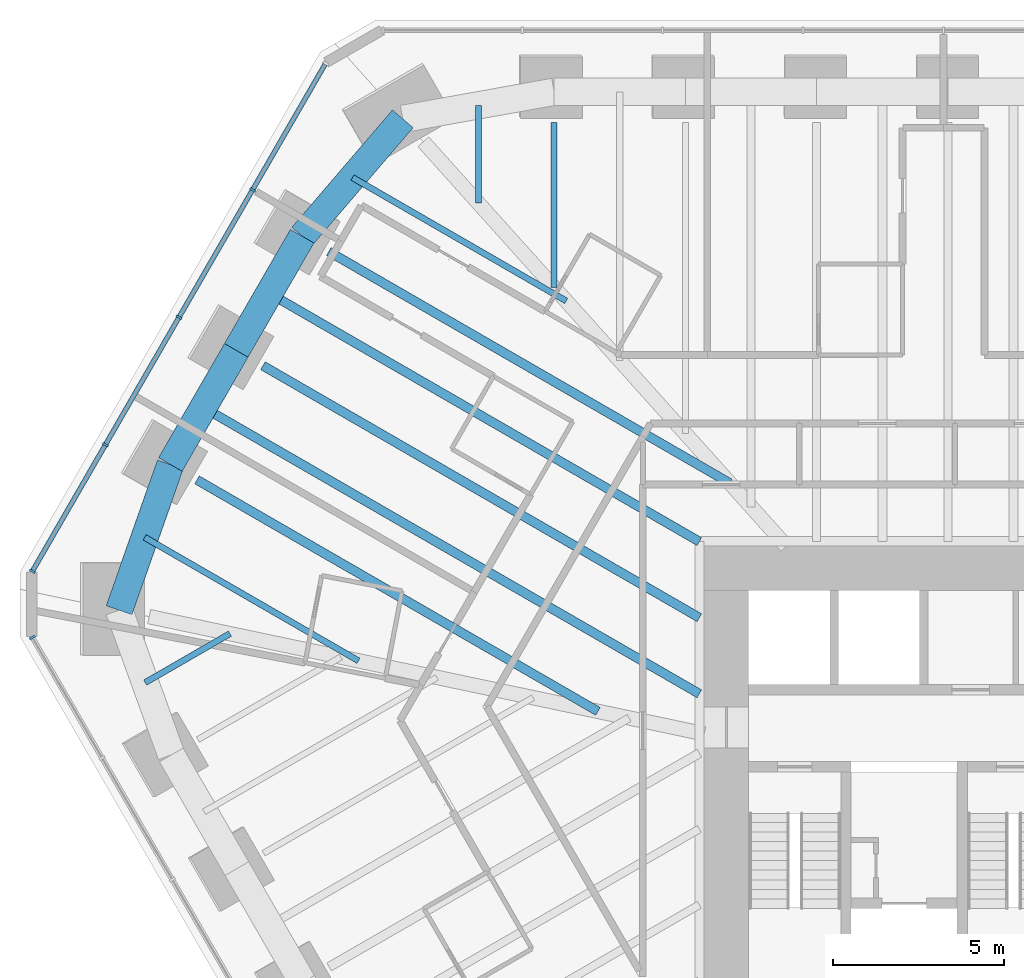
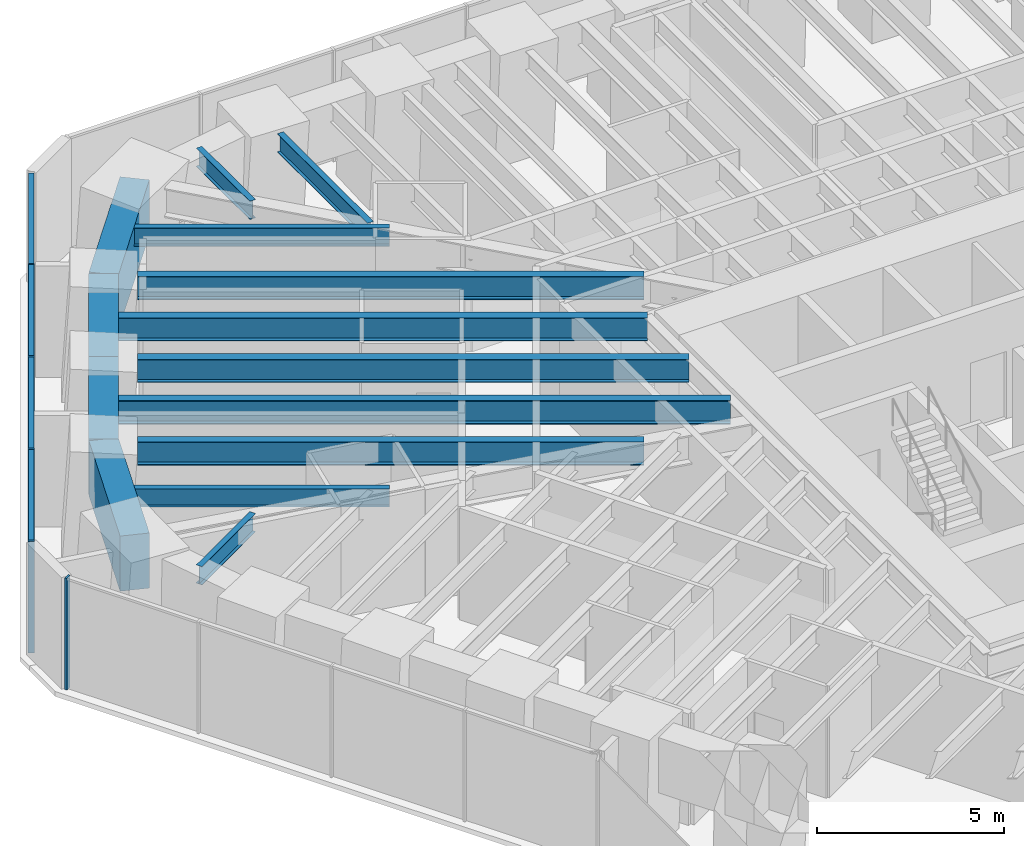
# One storey, part 7 of 18: 14 beams, 9 members, 2 elements without a shape of their own.
"""IFC4 building model written with IfcOpenShell, lengths in metres."""

from ifc_helpers import new_model, si_unit, direction, frame, origin, origin_2d, place, context, subcontext, project, spatial, rectangle, i_section, extrude, material, material_profile, profile_set, type_object, element, aggregate, save


model = new_model("IFC4")

# Units and contexts
model_context = context("Model", 3, precision=1e-05, world=origin(), true_north=direction((0.0, 1.0)))
body_context = subcontext(model_context, "Body", "Model", "MODEL_VIEW")
ifc_project = project(units=[si_unit("LENGTHUNIT", "METRE"), si_unit("AREAUNIT", "SQUARE_METRE"), si_unit("VOLUMEUNIT", "CUBIC_METRE"), si_unit("PLANEANGLEUNIT", "RADIAN"), si_unit("MASSUNIT", "GRAM", prefix="KILO")], contexts=[model_context])

# Site, building, storey
site_placement = place(None, origin())
site = spatial("IfcSite", under=ifc_project, at=site_placement, CompositionType="ELEMENT")
building_placement = place(site_placement, origin())
building = spatial("IfcBuilding", under=site, at=building_placement, Name="Sandreach Pilgrim Tower", CompositionType="ELEMENT")
storey_placement = place(building_placement, frame((0.0, 0.0, 157.60009765625)))
storey = spatial("IfcBuildingStorey", under=building, at=storey_placement, Name="L39", CompositionType="ELEMENT", Elevation=157.60009765625)

# Curtain wall, member
ifc_material_1 = material(Name="Aluminium framed curtain wall", Category="aluminium")
curtain_wall_type = type_object("IfcCurtainWallType", Name="Hotel tower curtain wall", PredefinedType="NOTDEFINED", material=ifc_material_1)
curtain_wall_1_placement = place(storey_placement, origin())
curtain_wall_1 = element("IfcCurtainWall", 1, at=curtain_wall_1_placement, inside=storey, type_object=curtain_wall_type, Name="CW-2 L39 SW", PredefinedType="NOTDEFINED")
ifc_material_2 = material(Name="Aluminium extrusion", Category="aluminium")
ifc_material_profile_1 = material_profile(ifc_material_2, rectangle(XDim=0.06494140625, YDim=0.179931640625, at=origin_2d()), Name="CW-2M 65X180")
ifc_profile_set_1 = profile_set([ifc_material_profile_1], Name="Aluminium extrusion")
member_type_1 = type_object("IfcMemberType", Name="CW-2 mullion", PredefinedType="MULLION", material=ifc_profile_set_1)
member_1_placement = place(storey_placement, frame((-28.70458984375, 4.730224609375, 0.0), z_axis=(0.0, 0.0, 1.0), x_axis=(-0.5, 0.866025403784, 0.0)))
member_1 = element("IfcMember", 2, at=member_1_placement, type_object=member_type_1, Name="CW-2 mullion 10", PredefinedType="MULLION", context=body_context, shape_type="SweptSolid", body=[
    extrude(rectangle(XDim=0.06494140625, YDim=0.179931640625, at=origin_2d()), origin(), (0.0, 0.0, 1.0), 3.639892578125),
])
aggregate(curtain_wall_1, [member_1])

# Curtain wall, members
curtain_wall_2_placement = place(storey_placement, origin())
curtain_wall_2 = element("IfcCurtainWall", 3, at=curtain_wall_2_placement, inside=storey, type_object=curtain_wall_type, Name="CW-2 L39 NW", PredefinedType="NOTDEFINED")
member_2_placement = place(storey_placement, frame((-28.70458984375, 6.66650390625, 0.0), z_axis=(0.0, 0.0, 1.0), x_axis=(0.5, 0.866025403784, 0.0)))
member_2 = element("IfcMember", 4, at=member_2_placement, type_object=member_type_1, Name="CW-2 mullion 1", PredefinedType="MULLION", context=body_context, shape_type="SweptSolid", body=[
    extrude(rectangle(XDim=0.06494140625, YDim=0.179931640625, at=origin_2d()), origin(), (0.0, 0.0, 1.0), 3.639892578125),
])
member_3_placement = place(storey_placement, frame((-26.568115234375, 10.3671875, 0.0), z_axis=(0.0, 0.0, 1.0), x_axis=(0.5, 0.866025403784, 0.0)))
member_3 = element("IfcMember", 5, at=member_3_placement, type_object=member_type_1, Name="CW-2 mullion 2", PredefinedType="MULLION", context=body_context, shape_type="SweptSolid", body=[
    extrude(rectangle(XDim=0.06494140625, YDim=0.179931640625, at=origin_2d()), origin(), (0.0, 0.0, 1.0), 3.639892578125),
])
member_4_placement = place(storey_placement, frame((-24.415283203125, 14.09619140625, 0.0), z_axis=(0.0, 0.0, 1.0), x_axis=(0.5, 0.866025403784, 0.0)))
member_4 = element("IfcMember", 6, at=member_4_placement, type_object=member_type_1, Name="CW-2 mullion 3", PredefinedType="MULLION", context=body_context, shape_type="SweptSolid", body=[
    extrude(rectangle(XDim=0.06494140625, YDim=0.179931640625, at=origin_2d()), origin(), (0.0, 0.0, 1.0), 3.639892578125),
])
member_5_placement = place(storey_placement, frame((-22.262451171875, 17.824951171875, 0.0), z_axis=(0.0, 0.0, 1.0), x_axis=(0.5, 0.866025403784, 0.0)))
member_5 = element("IfcMember", 7, at=member_5_placement, type_object=member_type_1, Name="CW-2 mullion 4", PredefinedType="MULLION", context=body_context, shape_type="SweptSolid", body=[
    extrude(rectangle(XDim=0.06494140625, YDim=0.179931640625, at=origin_2d()), origin(), (0.0, 0.0, 1.0), 3.639892578125),
])
ifc_material_3 = material(Name="Aluminium extrusion", Category="aluminium")
ifc_material_profile_2 = material_profile(ifc_material_3, rectangle(XDim=0.139892578125, YDim=0.070068359375, at=origin_2d()), Name="CW-2T 140X70")
ifc_profile_set_2 = profile_set([ifc_material_profile_2], Name="Aluminium extrusion")
member_type_2 = type_object("IfcMemberType", Name="CW-2 transom", PredefinedType="USERDEFINED", material=ifc_profile_set_2)
member_6_placement = place(storey_placement, frame((-28.6884765625, 6.69482421875, 3.60498046875), z_axis=(0.500038835258, 0.866002981077, 0.0), x_axis=(-0.866002981077, 0.500038835258, 0.0)))
member_6 = element("IfcMember", 8, at=member_6_placement, type_object=member_type_2, Name="CW-2 head transom 1", ObjectType="TRANSOM", PredefinedType="USERDEFINED", context=body_context, shape_type="SweptSolid", body=[
    extrude(rectangle(XDim=0.139892578125, YDim=0.070068359375, at=origin_2d()), origin(), (0.0, 0.0, 1.0), 4.208251953125),
])
member_7_placement = place(storey_placement, frame((-26.5517578125, 10.3955078125, 3.60498046875), z_axis=(0.500021471012, 0.866013007135, 0.0), x_axis=(-0.866013007135, 0.500021471012, 0.0)))
member_7 = element("IfcMember", 9, at=member_7_placement, type_object=member_type_2, Name="CW-2 head transom 2", ObjectType="TRANSOM", PredefinedType="USERDEFINED", context=body_context, shape_type="SweptSolid", body=[
    extrude(rectangle(XDim=0.139892578125, YDim=0.070068359375, at=origin_2d()), origin(), (0.0, 0.0, 1.0), 4.240478515625),
])
member_8_placement = place(storey_placement, frame((-24.39892578125, 14.124267578125, 3.60498046875), z_axis=(0.499996541496, 0.866027400544, 0.0), x_axis=(-0.866027400544, 0.499996541496, 0.0)))
member_8 = element("IfcMember", 10, at=member_8_placement, type_object=member_type_2, Name="CW-2 head transom 3", ObjectType="TRANSOM", PredefinedType="USERDEFINED", context=body_context, shape_type="SweptSolid", body=[
    extrude(rectangle(XDim=0.139892578125, YDim=0.070068359375, at=origin_2d()), origin(), (0.0, 0.0, 1.0), 4.24072265625),
])
member_9_placement = place(storey_placement, frame((-22.24609375, 17.85302734375, 3.60498046875), z_axis=(0.49997020258, 0.86604260665, 0.0), x_axis=(-0.86604260665, 0.49997020258, 0.0)))
member_9 = element("IfcMember", 11, at=member_9_placement, type_object=member_type_2, Name="CW-2 head transom 4", ObjectType="TRANSOM", PredefinedType="USERDEFINED", context=body_context, shape_type="SweptSolid", body=[
    extrude(rectangle(XDim=0.139892578125, YDim=0.070068359375, at=origin_2d()), origin(), (0.0, 0.0, 1.0), 4.208251953125),
])
aggregate(curtain_wall_2, [member_2, member_3, member_4, member_5, member_6, member_7, member_8, member_9])

# Beams
ifc_material_4 = material(Name="Steel ASTM A992 Grade 50", Category="steel")
ifc_material_profile_3 = material_profile(ifc_material_4, i_section(OverallWidth=0.1787109375, OverallDepth=0.60205078125, WebThickness=0.010986328125, FlangeThickness=0.014892578125, at=origin_2d()), Name="W24X62")
ifc_profile_set_3 = profile_set([ifc_material_profile_3], Name="Steel ASTM A992 Grade 50")
beam_type_1 = type_object("IfcBeamType", Name="Floor beam W24X62", PredefinedType="BEAM", material=ifc_profile_set_3)
beam_1_placement = place(storey_placement, frame((-13.439697265625, 19.794677734375, 3.3388671875), z_axis=(0.0, -1.0, 0.0), x_axis=(1.0, 0.0, 0.0)))
element("IfcBeam", 12, at=beam_1_placement, inside=storey, type_object=beam_type_1, Name="BM L39 F01", PredefinedType="BEAM", context=body_context, shape_type="SweptSolid", body=[
    extrude(i_section(OverallWidth=0.1787109375, OverallDepth=0.60205078125, WebThickness=0.010986328125, FlangeThickness=0.014892578125, at=origin_2d()), origin(), (0.0, 0.0, 1.0), 4.827392578125),
])
beam_2_placement = place(storey_placement, frame((-25.40576171875, 3.408447265625, 3.3388671875), z_axis=(0.866015215982, 0.500017645376, 0.0), x_axis=(-0.500017645376, 0.866015215982, 0.0)))
element("IfcBeam", 13, at=beam_2_placement, inside=storey, type_object=beam_type_1, Name="BM L39 FM34", PredefinedType="BEAM", context=body_context, shape_type="SweptSolid", body=[
    extrude(i_section(OverallWidth=0.1787109375, OverallDepth=0.60205078125, WebThickness=0.010986328125, FlangeThickness=0.014892578125, at=origin_2d()), origin(), (0.0, 0.0, 1.0), 2.86376953125),
])
beam_3_placement = place(storey_placement, frame((-25.419189453125, 7.657470703125, 3.3388671875), z_axis=(0.866021216079, -0.500007253249, 0.0), x_axis=(0.500007253249, 0.866021216079, 0.0)))
element("IfcBeam", 14, at=beam_3_placement, inside=storey, type_object=beam_type_1, Name="BM L39 FM35", PredefinedType="BEAM", context=body_context, shape_type="SweptSolid", body=[
    extrude(i_section(OverallWidth=0.1787109375, OverallDepth=0.60205078125, WebThickness=0.010986328125, FlangeThickness=0.014892578125, at=origin_2d()), origin(), (0.0, 0.0, 1.0), 7.22265625),
])
beam_4_placement = place(storey_placement, frame((-19.341064453125, 18.184814453125, 3.3388671875), z_axis=(0.86602740249, -0.499996538125, 0.0), x_axis=(0.499996538125, 0.86602740249, 0.0)))
element("IfcBeam", 15, at=beam_4_placement, inside=storey, type_object=beam_type_1, Name="BM L39 FM38", PredefinedType="BEAM", context=body_context, shape_type="SweptSolid", body=[
    extrude(i_section(OverallWidth=0.1787109375, OverallDepth=0.60205078125, WebThickness=0.010986328125, FlangeThickness=0.014892578125, at=origin_2d()), origin(), (0.0, 0.0, 1.0), 7.22216796875),
])
beam_5_placement = place(storey_placement, frame((-15.65478515625, 20.2978515625, 3.3388671875), z_axis=(0.0, -1.0, 0.0), x_axis=(1.0, 0.0, 0.0)))
element("IfcBeam", 16, at=beam_5_placement, inside=storey, type_object=beam_type_1, Name="BM L39 FM39", PredefinedType="BEAM", context=body_context, shape_type="SweptSolid", body=[
    extrude(i_section(OverallWidth=0.1787109375, OverallDepth=0.60205078125, WebThickness=0.010986328125, FlangeThickness=0.014892578125, at=origin_2d()), origin(), (0.0, 0.0, 1.0), 2.86376953125),
])
ifc_material_5 = material(Name="Steel ASTM A992 Grade 50", Category="steel")
ifc_material_profile_4 = material_profile(ifc_material_5, i_section(OverallWidth=0.2666015625, OverallDepth=0.761962890625, WebThickness=0.014404296875, FlangeThickness=0.021484375, at=origin_2d()), Name="W30X116")
ifc_profile_set_4 = profile_set([ifc_material_profile_4], Name="Steel ASTM A992 Grade 50")
beam_type_2 = type_object("IfcBeamType", Name="Floor beam W30X116", PredefinedType="BEAM", material=ifc_profile_set_4)
beam_6_placement = place(storey_placement, frame((-23.88916015625, 9.339599609375, 3.2587890625), z_axis=(0.866025000927, -0.500000697769, 0.0), x_axis=(0.500000697769, 0.866025000927, 0.0)))
element("IfcBeam", 17, at=beam_6_placement, inside=storey, type_object=beam_type_2, Name="BM L39 F36", PredefinedType="BEAM", context=body_context, shape_type="SweptSolid", body=[
    extrude(i_section(OverallWidth=0.2666015625, OverallDepth=0.761962890625, WebThickness=0.014404296875, FlangeThickness=0.021484375, at=origin_2d()), origin(), (0.0, 0.0, 1.0), 13.544921875),
])
beam_7_placement = place(storey_placement, frame((-21.9609375, 12.67919921875, 3.2587890625), z_axis=(0.866026190251, -0.499998637797, 0.0), x_axis=(0.499998637797, 0.866026190251, 0.0)))
element("IfcBeam", 18, at=beam_7_placement, inside=storey, type_object=beam_type_2, Name="BM L39 F37", PredefinedType="BEAM", context=body_context, shape_type="SweptSolid", body=[
    extrude(i_section(OverallWidth=0.2666015625, OverallDepth=0.761962890625, WebThickness=0.014404296875, FlangeThickness=0.021484375, at=origin_2d()), origin(), (0.0, 0.0, 1.0), 14.74267578125),
])
beam_8_placement = place(storey_placement, frame((-20.03271484375, 16.018798828125, 3.2587890625), z_axis=(0.866020494674, -0.500008502732, 0.0), x_axis=(0.500008502732, 0.866020494674, 0.0)))
element("IfcBeam", 19, at=beam_8_placement, inside=storey, type_object=beam_type_2, Name="BM L39 F38", PredefinedType="BEAM", context=body_context, shape_type="SweptSolid", body=[
    extrude(i_section(OverallWidth=0.2666015625, OverallDepth=0.761962890625, WebThickness=0.014404296875, FlangeThickness=0.021484375, at=origin_2d()), origin(), (0.0, 0.0, 1.0), 13.544677734375),
])
beam_9_placement = place(storey_placement, frame((-21.7763671875, 14.799072265625, 3.2587890625), z_axis=(0.866022732608, -0.500004626585, 0.0), x_axis=(0.500004626585, 0.866022732608, 0.0)))
element("IfcBeam", 20, at=beam_9_placement, inside=storey, type_object=beam_type_2, Name="BM L39 FM37", PredefinedType="BEAM", context=body_context, shape_type="SweptSolid", body=[
    extrude(i_section(OverallWidth=0.2666015625, OverallDepth=0.761962890625, WebThickness=0.014404296875, FlangeThickness=0.021484375, at=origin_2d()), origin(), (0.0, 0.0, 1.0), 14.529541015625),
])
ifc_material_6 = material(Name="Steel ASTM A992 Grade 50", Category="steel")
ifc_material_profile_5 = material_profile(ifc_material_6, i_section(OverallWidth=0.2666015625, OverallDepth=0.77978515625, WebThickness=0.0166015625, FlangeThickness=0.030029296875, at=origin_2d()), Name="W30X148")
ifc_profile_set_5 = profile_set([ifc_material_profile_5], Name="Steel ASTM A992 Grade 50")
beam_type_3 = type_object("IfcBeamType", Name="Floor beam W30X148", PredefinedType="BEAM", material=ifc_profile_set_5)
beam_10_placement = place(storey_placement, frame((-23.704345703125, 11.459228515625, 3.25), z_axis=(0.866025201573, -0.50000035024, 0.0), x_axis=(0.50000035024, 0.866025201573, 0.0)))
element("IfcBeam", 21, at=beam_10_placement, inside=storey, type_object=beam_type_3, Name="BM L39 FM36", PredefinedType="BEAM", context=body_context, shape_type="SweptSolid", body=[
    extrude(i_section(OverallWidth=0.2666015625, OverallDepth=0.77978515625, WebThickness=0.0166015625, FlangeThickness=0.030029296875, at=origin_2d()), origin(), (0.0, 0.0, 1.0), 16.755859375),
])
ifc_material_7 = material(Name="Concrete 10000 psi", Category="concrete")
ifc_material_profile_6 = material_profile(ifc_material_7, rectangle(XDim=0.800048828125, YDim=1.800048828125, at=origin_2d()), Name="RC800X1800")
ifc_profile_set_6 = profile_set([ifc_material_profile_6], Name="Concrete 10000 psi")
beam_type_4 = type_object("IfcBeamType", Name="Spandrel beam RC800X1800", PredefinedType="SPANDREL", material=ifc_profile_set_6)
beam_11_placement = place(storey_placement, frame((-26.169677734375, 5.525390625, 2.739990234375), z_axis=(0.33207707108, 0.943252256219, 0.0), x_axis=(-0.943252256219, 0.33207707108, 0.0)))
element("IfcBeam", 22, at=beam_11_placement, inside=storey, type_object=beam_type_4, Name="BM L39 SP35", PredefinedType="SPANDREL", context=body_context, shape_type="SweptSolid", body=[
    extrude(rectangle(XDim=0.800048828125, YDim=1.800048828125, at=origin_2d()), origin(), (0.0, 0.0, 1.0), 4.520751953125),
])
for number, where, z_axis, x_axis, name in (
    (23, (-24.66845703125, 9.78955078125, 2.739990234375), (0.499972728276, 0.866041148549, 0.0), (-0.866041148549, 0.499972728276, 0.0), "BM L39 SP36"),
    (24, (-22.740478515625, 13.129150390625, 2.739990234375), (0.500020211545, 0.866013734329, 0.0), (-0.866013734329, 0.500020211545, 0.0), "BM L39 SP37"),
):
    element("IfcBeam", number, at=place(storey_placement, frame(where, z_axis=z_axis, x_axis=x_axis)), inside=storey, type_object=beam_type_4, Name=name, PredefinedType="SPANDREL", context=body_context, shape_type="SweptSolid", body=[
        extrude(rectangle(XDim=0.800048828125, YDim=1.800048828125, at=origin_2d()), origin(), (0.0, 0.0, 1.0), 3.856201171875),
    ])
beam_12_placement = place(storey_placement, frame((-20.812255859375, 16.46875, 2.739990234375), z_axis=(0.65083584483, 0.759218481785, 0.0), x_axis=(-0.759218481785, 0.65083584483, 0.0)))
element("IfcBeam", 25, at=beam_12_placement, inside=storey, type_object=beam_type_4, Name="BM L39 SP38", PredefinedType="SPANDREL", context=body_context, shape_type="SweptSolid", body=[
    extrude(rectangle(XDim=0.800048828125, YDim=1.800048828125, at=origin_2d()), origin(), (0.0, 0.0, 1.0), 4.52099609375),
])

save(model, "model.ifc")
